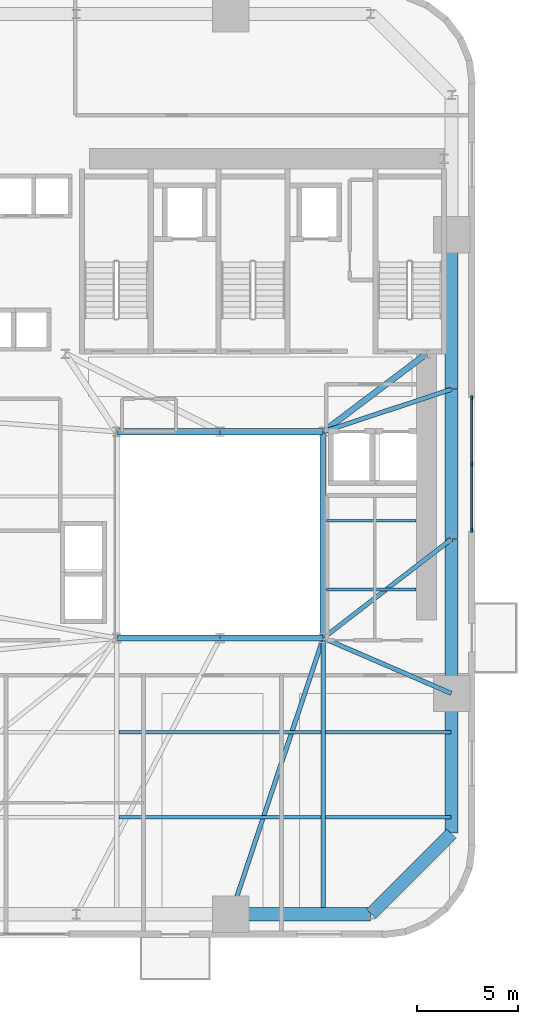
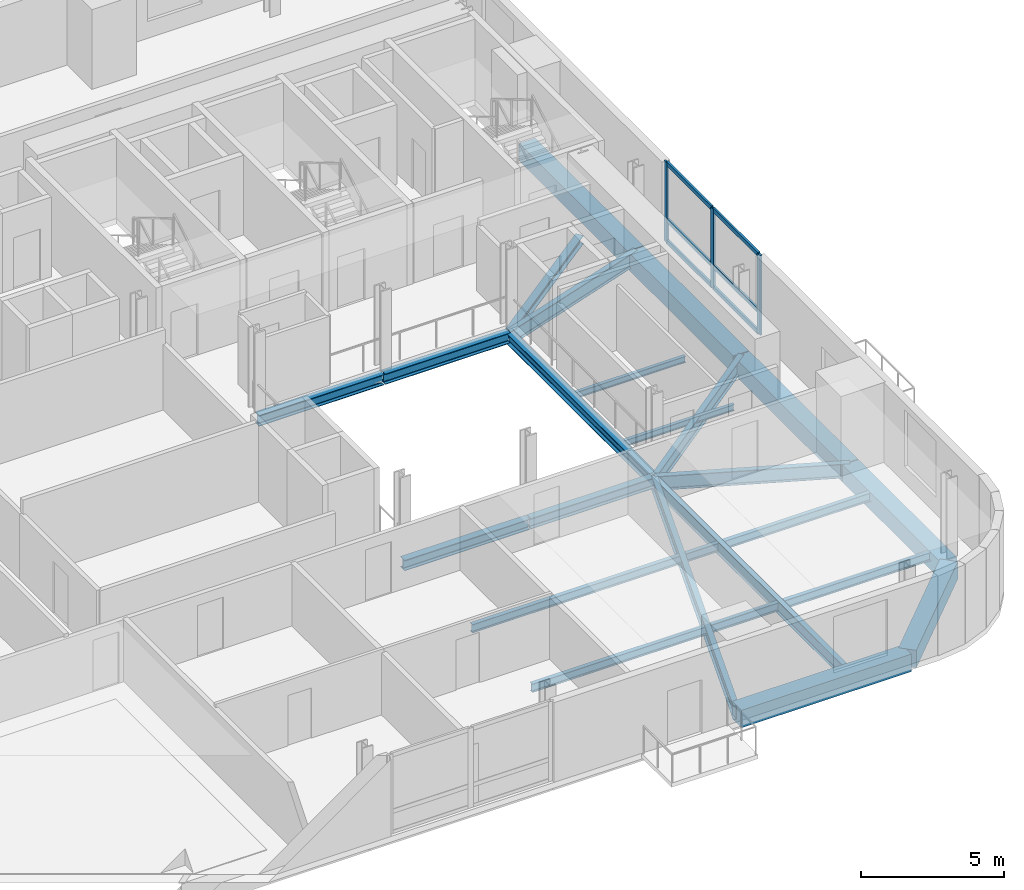
# One storey, part 3 of 13: 23 beams, 9 members, 1 element without a shape of its own.
"""IFC4 building model written with IfcOpenShell, lengths in metres."""

from ifc_helpers import new_model, si_unit, direction, frame, origin, origin_2d, place, context, subcontext, project, spatial, rectangle, i_section, extrude, source, transform, mapped, material, material_profile, profile_set, type_object, element, aggregate, save


model = new_model("IFC4")

# Units and contexts
model_context = context("Model", 3, precision=1e-05, world=origin(), true_north=direction((0.0, 1.0)))
body_context = subcontext(model_context, "Body", "Model", "MODEL_VIEW")
ifc_project = project(units=[si_unit("LENGTHUNIT", "METRE"), si_unit("AREAUNIT", "SQUARE_METRE"), si_unit("VOLUMEUNIT", "CUBIC_METRE"), si_unit("PLANEANGLEUNIT", "RADIAN"), si_unit("MASSUNIT", "GRAM", prefix="KILO")], contexts=[model_context])

# Site, building, storey
site_placement = place(None, origin())
site = spatial("IfcSite", under=ifc_project, at=site_placement, CompositionType="ELEMENT")
building_placement = place(site_placement, origin())
building = spatial("IfcBuilding", under=site, at=building_placement, Name="Vardaveli Station Tower", CompositionType="ELEMENT")
storey_placement = place(building_placement, frame((0.0, 0.0, 75.050048828125)))
storey = spatial("IfcBuildingStorey", under=building, at=storey_placement, Name="L19", CompositionType="ELEMENT", Elevation=75.050048828125)

# Beams
ifc_material_1 = material(Name="Structural steel S355J2", Category="steel")
ifc_material_profile_1 = material_profile(ifc_material_1, i_section(OverallWidth=0.300048828125, OverallDepth=0.449951171875, WebThickness=0.013916015625, FlangeThickness=0.02587890625, FilletRadius=0.027099609375, at=origin_2d()), Name="HEB 450")
ifc_profile_set_1 = profile_set([ifc_material_profile_1], Name="Structural steel S355J2")
beam_type_1 = type_object("IfcBeamType", Name="BM-HEB450", PredefinedType="BEAM", material=ifc_profile_set_1)
shared_shape_1 = source(origin(), body_context, "Body", "SweptSolid", [
    extrude(i_section(OverallWidth=0.300048828125, OverallDepth=0.449951171875, WebThickness=0.013916015625, FlangeThickness=0.02587890625, FilletRadius=0.027099609375, at=origin_2d()), origin(), (0.0, 0.0, 1.0), 5.06005859375),
])
for number, where, z_axis, x_axis, name in (
    (1, (31.219970703125, 16.60009765625, -0.465087890625), (1.0, 0.0, 0.0), (0.0, 1.0, 0.0), "ABM-L19-01"),
    (2, (36.280029296875, 26.800048828125, -0.465087890625), (-1.0, 0.0, 0.0), (0.0, -1.0, 0.0), "ABM-L19-05"),
):
    element("IfcBeam", number, at=place(storey_placement, frame(where, z_axis=z_axis, x_axis=x_axis)), inside=storey, type_object=beam_type_1, Name=name, PredefinedType="BEAM", context=body_context, shape_type="MappedRepresentation", body=[
        mapped(shared_shape_1, transform((0.0, 0.0, 0.0), scale=1.0)),
    ])
shared_shape_2 = source(origin(), body_context, "Body", "SweptSolid", [
    extrude(i_section(OverallWidth=0.300048828125, OverallDepth=0.449951171875, WebThickness=0.013916015625, FlangeThickness=0.02587890625, FilletRadius=0.027099609375, at=origin_2d()), origin(), (0.0, 0.0, 1.0), 5.059814453125),
])
for number, where, z_axis, x_axis, name in (
    (3, (36.320068359375, 16.60009765625, -0.465087890625), (1.0, 0.0, 0.0), (0.0, 1.0, 0.0), "ABM-L19-02"),
    (4, (41.3798828125, 26.800048828125, -0.465087890625), (-1.0, 0.0, 0.0), (0.0, -1.0, 0.0), "ABM-L19-04"),
):
    element("IfcBeam", number, at=place(storey_placement, frame(where, z_axis=z_axis, x_axis=x_axis)), inside=storey, type_object=beam_type_1, Name=name, PredefinedType="BEAM", context=body_context, shape_type="MappedRepresentation", body=[
        mapped(shared_shape_2, transform((0.0, 0.0, 0.0), scale=1.0)),
    ])
shared_shape_3 = source(origin(), body_context, "Body", "SweptSolid", [
    extrude(i_section(OverallWidth=0.300048828125, OverallDepth=0.449951171875, WebThickness=0.013916015625, FlangeThickness=0.02587890625, FilletRadius=0.027099609375, at=origin_2d()), origin(), (0.0, 0.0, 1.0), 10.159912109375),
])
beam_1_placement = place(storey_placement, frame((41.39990234375, 16.6201171875, -0.465087890625), z_axis=(0.0, 1.0, 0.0), x_axis=(-1.0, 0.0, 0.0)))
element("IfcBeam", 5, at=beam_1_placement, inside=storey, type_object=beam_type_1, Name="ABM-L19-03", PredefinedType="BEAM", context=body_context, shape_type="MappedRepresentation", body=[
    mapped(shared_shape_3, transform((0.0, 0.0, 0.0), scale=1.0)),
])
ifc_material_profile_2 = material_profile(ifc_material_1, i_section(OverallWidth=0.300048828125, OverallDepth=0.360107421875, WebThickness=0.012451171875, FlangeThickness=0.0224609375, FilletRadius=0.027099609375, at=origin_2d()), Name="HEB 360")
ifc_profile_set_2 = profile_set([ifc_material_profile_2], Name="Structural steel S355J2")
beam_type_2 = type_object("IfcBeamType", Name="BM-HEB360", PredefinedType="BEAM", material=ifc_profile_set_2)
shared_shape_4 = source(origin(), body_context, "Body", "SweptSolid", [
    extrude(i_section(OverallWidth=0.300048828125, OverallDepth=0.360107421875, WebThickness=0.012451171875, FlangeThickness=0.0224609375, FilletRadius=0.027099609375, at=origin_2d()), origin(), (0.0, 0.0, 1.0), 6.35009765625),
])
beam_2_placement = place(storey_placement, frame((41.416015625, 26.81201171875, -0.420166015625), z_axis=(0.798118337722, 0.602500721154, 0.0), x_axis=(-0.602500721154, 0.798118337722, 0.0)))
element("IfcBeam", 6, at=beam_2_placement, inside=storey, type_object=beam_type_2, Name="CBM-L19-02", PredefinedType="BEAM", context=body_context, shape_type="MappedRepresentation", body=[
    mapped(shared_shape_4, transform((0.0, 0.0, 0.0), scale=1.0)),
])
ifc_material_2 = material(Name="Precast concrete C45/55", Category="concrete")
ifc_material_profile_3 = material_profile(ifc_material_2, rectangle(XDim=0.64990234375, YDim=0.75, at=origin_2d()), Name="LPB 650x750")
ifc_profile_set_3 = profile_set([ifc_material_profile_3], Name="Precast concrete C45/55")
beam_type_3 = type_object("IfcBeamType", Name="BM-LPB-750", PredefinedType="BEAM", material=ifc_profile_set_3)
shared_shape_5 = source(origin(), body_context, "Body", "SweptSolid", [
    extrude(rectangle(XDim=0.64990234375, YDim=0.75, at=origin_2d()), origin(), (0.0, 0.0, 1.0), 7.60009765625),
])
for number, where, z_axis, x_axis, name in (
    (7, (47.75, 13.8798828125, -0.614990234375), (0.0, 1.0, 0.0), (-1.0, 0.0, 0.0), "RBM-L19-07"),
    (8, (47.75, 28.919921875, -0.614990234375), (0.0, 1.0, 0.0), (-1.0, 0.0, 0.0), "RBM-L19-09"),
):
    element("IfcBeam", number, at=place(storey_placement, frame(where, z_axis=z_axis, x_axis=x_axis)), inside=storey, type_object=beam_type_3, Name=name, PredefinedType="BEAM", context=body_context, shape_type="MappedRepresentation", body=[
        mapped(shared_shape_5, transform((0.0, 0.0, 0.0), scale=1.0)),
    ])
shared_shape_6 = source(origin(), body_context, "Body", "SweptSolid", [
    extrude(rectangle(XDim=0.64990234375, YDim=0.75, at=origin_2d()), origin(), (0.0, 0.0, 1.0), 7.35986328125),
])
beam_3_placement = place(storey_placement, frame((47.75, 21.52001953125, -0.614990234375), z_axis=(0.0, 1.0, 0.0), x_axis=(-1.0, 0.0, 0.0)))
element("IfcBeam", 9, at=beam_3_placement, inside=storey, type_object=beam_type_3, Name="RBM-L19-08", PredefinedType="BEAM", context=body_context, shape_type="MappedRepresentation", body=[
    mapped(shared_shape_6, transform((0.0, 0.0, 0.0), scale=1.0)),
])
shared_shape_7 = source(origin(), body_context, "Body", "SweptSolid", [
    extrude(rectangle(XDim=0.64990234375, YDim=0.75, at=origin_2d()), origin(), (0.0, 0.0, 1.0), 6.869873046875),
])
beam_4_placement = place(storey_placement, frame((36.860107421875, 2.949951171875, -0.614990234375), z_axis=(1.0, 0.0, 0.0), x_axis=(0.0, 1.0, 0.0)))
element("IfcBeam", 10, at=beam_4_placement, inside=storey, type_object=beam_type_3, Name="RBM-L19-04", PredefinedType="BEAM", context=body_context, shape_type="MappedRepresentation", body=[
    mapped(shared_shape_7, transform((0.0, 0.0, 0.0), scale=1.0)),
])
shared_shape_8 = source(origin(), body_context, "Body", "SweptSolid", [
    extrude(rectangle(XDim=0.64990234375, YDim=0.75, at=origin_2d()), origin(), (0.0, 0.0, 1.0), 5.61669921875),
])
beam_5_placement = place(storey_placement, frame((43.76416015625, 2.964111328125, -0.614990234375), z_axis=(0.707106781187, 0.707106781187, 0.0), x_axis=(-0.707106781187, 0.707106781187, 0.0)))
element("IfcBeam", 11, at=beam_5_placement, inside=storey, type_object=beam_type_3, Name="RBM-L19-05", PredefinedType="BEAM", context=body_context, shape_type="MappedRepresentation", body=[
    mapped(shared_shape_8, transform((0.0, 0.0, 0.0), scale=1.0)),
])
shared_shape_9 = source(origin(), body_context, "Body", "SweptSolid", [
    extrude(rectangle(XDim=0.64990234375, YDim=0.75, at=origin_2d()), origin(), (0.0, 0.0, 1.0), 6.8701171875),
])
beam_6_placement = place(storey_placement, frame((47.75, 6.969970703125, -0.614990234375), z_axis=(0.0, 1.0, 0.0), x_axis=(-1.0, 0.0, 0.0)))
element("IfcBeam", 12, at=beam_6_placement, inside=storey, type_object=beam_type_3, Name="RBM-L19-06", PredefinedType="BEAM", context=body_context, shape_type="MappedRepresentation", body=[
    mapped(shared_shape_9, transform((0.0, 0.0, 0.0), scale=1.0)),
])
ifc_material_profile_4 = material_profile(ifc_material_1, i_section(OverallWidth=0.219970703125, OverallDepth=0.60009765625, WebThickness=0.011962890625, FlangeThickness=0.01904296875, FilletRadius=0.02392578125, at=origin_2d()), Name="IPE 600")
ifc_profile_set_4 = profile_set([ifc_material_profile_4], Name="Structural steel S355J2")
beam_type_4 = type_object("IfcBeamType", Name="BM-IPE600", PredefinedType="BEAM", material=ifc_profile_set_4)
shared_shape_10 = source(origin(), body_context, "Body", "SweptSolid", [
    extrude(i_section(OverallWidth=0.219970703125, OverallDepth=0.60009765625, WebThickness=0.011962890625, FlangeThickness=0.01904296875, FilletRadius=0.02392578125, at=origin_2d()), origin(), (0.0, 0.0, 1.0), 14.3515625),
])
beam_7_placement = place(storey_placement, frame((36.846435546875, 2.968994140625, -0.5400390625), z_axis=(0.316840115921, 0.948478961782, 0.0), x_axis=(-0.948478961782, 0.316840115921, 0.0)))
element("IfcBeam", 13, at=beam_7_placement, inside=storey, type_object=beam_type_4, Name="GBM-L19-04", PredefinedType="BEAM", context=body_context, shape_type="MappedRepresentation", body=[
    mapped(shared_shape_10, transform((0.0, 0.0, 0.0), scale=1.0)),
])
shared_shape_11 = source(origin(), body_context, "Body", "SweptSolid", [
    extrude(i_section(OverallWidth=0.219970703125, OverallDepth=0.60009765625, WebThickness=0.011962890625, FlangeThickness=0.01904296875, FilletRadius=0.02392578125, at=origin_2d()), origin(), (0.0, 0.0, 1.0), 6.8759765625),
])
beam_8_placement = place(storey_placement, frame((47.731689453125, 13.867919921875, -0.5400390625), z_axis=(-0.918170694621, 0.396185026899, 0.0), x_axis=(-0.396185026899, -0.918170694621, 0.0)))
element("IfcBeam", 14, at=beam_8_placement, inside=storey, type_object=beam_type_4, Name="GBM-L19-05", PredefinedType="BEAM", context=body_context, shape_type="MappedRepresentation", body=[
    mapped(shared_shape_11, transform((0.0, 0.0, 0.0), scale=1.0)),
])
shared_shape_12 = source(origin(), body_context, "Body", "SweptSolid", [
    extrude(i_section(OverallWidth=0.219970703125, OverallDepth=0.60009765625, WebThickness=0.011962890625, FlangeThickness=0.01904296875, FilletRadius=0.02392578125, at=origin_2d()), origin(), (0.0, 0.0, 1.0), 7.980712890625),
])
beam_9_placement = place(storey_placement, frame((47.734130859375, 21.48779296875, -0.5400390625), z_axis=(-0.791701934907, -0.610907559509, 0.0), x_axis=(0.610907559509, -0.791701934907, 0.0)))
element("IfcBeam", 15, at=beam_9_placement, inside=storey, type_object=beam_type_4, Name="GBM-L19-06", PredefinedType="BEAM", context=body_context, shape_type="MappedRepresentation", body=[
    mapped(shared_shape_12, transform((0.0, 0.0, 0.0), scale=1.0)),
])
shared_shape_13 = source(origin(), body_context, "Body", "SweptSolid", [
    extrude(i_section(OverallWidth=0.219970703125, OverallDepth=0.60009765625, WebThickness=0.011962890625, FlangeThickness=0.01904296875, FilletRadius=0.02392578125, at=origin_2d()), origin(), (0.0, 0.0, 1.0), 6.648193359375),
])
beam_10_placement = place(storey_placement, frame((47.73095703125, 28.893798828125, -0.5400390625), z_axis=(-0.949429779906, -0.313979446824, 0.0), x_axis=(0.313979446824, -0.949429779906, 0.0)))
element("IfcBeam", 16, at=beam_10_placement, inside=storey, type_object=beam_type_4, Name="GBM-L19-07", PredefinedType="BEAM", context=body_context, shape_type="MappedRepresentation", body=[
    mapped(shared_shape_13, transform((0.0, 0.0, 0.0), scale=1.0)),
])
ifc_material_profile_5 = material_profile(ifc_material_1, i_section(OverallWidth=0.2099609375, OverallDepth=0.550048828125, WebThickness=0.010986328125, FlangeThickness=0.01708984375, FilletRadius=0.02392578125, at=origin_2d()), Name="IPE 550")
ifc_profile_set_5 = profile_set([ifc_material_profile_5], Name="Structural steel S355J2")
beam_type_5 = type_object("IfcBeamType", Name="BM-IPE550", PredefinedType="BEAM", material=ifc_profile_set_5)
shared_shape_14 = source(origin(), body_context, "Body", "SweptSolid", [
    extrude(i_section(OverallWidth=0.2099609375, OverallDepth=0.550048828125, WebThickness=0.010986328125, FlangeThickness=0.01708984375, FilletRadius=0.02392578125, at=origin_2d()), origin(), (0.0, 0.0, 1.0), 13.469970703125),
])
beam_11_placement = place(storey_placement, frame((41.39990234375, 2.989990234375, -0.51513671875), z_axis=(0.0, 1.0, 0.0), x_axis=(-1.0, 0.0, 0.0)))
element("IfcBeam", 17, at=beam_11_placement, inside=storey, type_object=beam_type_5, Name="NSM-L19-S2", PredefinedType="BEAM", context=body_context, shape_type="MappedRepresentation", body=[
    mapped(shared_shape_14, transform((0.0, 0.0, 0.0), scale=1.0)),
])
ifc_material_profile_6 = material_profile(ifc_material_1, i_section(OverallWidth=0.169921875, OverallDepth=0.360107421875, WebThickness=0.008056640625, FlangeThickness=0.0126953125, FilletRadius=0.01806640625, at=origin_2d()), Name="IPE 360")
ifc_profile_set_6 = profile_set([ifc_material_profile_6], Name="Structural steel S355J2")
beam_type_6 = type_object("IfcBeamType", Name="BM-IPE360", PredefinedType="JOIST", material=ifc_profile_set_6)
shared_shape_15 = source(origin(), body_context, "Body", "SweptSolid", [
    extrude(i_section(OverallWidth=0.169921875, OverallDepth=0.360107421875, WebThickness=0.008056640625, FlangeThickness=0.0126953125, FilletRadius=0.01806640625, at=origin_2d()), origin(), (0.0, 0.0, 1.0), 9.97607421875),
])
for number, where, z_axis, x_axis, name in (
    (18, (31.31201171875, 7.75, -0.420166015625), (1.0, 0.0, 0.0), (0.0, 1.0, 0.0), "SJ-L19-S02"),
    (19, (31.31201171875, 11.949951171875, -0.420166015625), (1.0, 0.0, 0.0), (0.0, 1.0, 0.0), "SJ-L19-S05"),
):
    element("IfcBeam", number, at=place(storey_placement, frame(where, z_axis=z_axis, x_axis=x_axis)), inside=storey, type_object=beam_type_6, Name=name, PredefinedType="JOIST", context=body_context, shape_type="MappedRepresentation", body=[
        mapped(shared_shape_15, transform((0.0, 0.0, 0.0), scale=1.0)),
    ])
shared_shape_16 = source(origin(), body_context, "Body", "SweptSolid", [
    extrude(i_section(OverallWidth=0.169921875, OverallDepth=0.360107421875, WebThickness=0.008056640625, FlangeThickness=0.0126953125, FilletRadius=0.01806640625, at=origin_2d()), origin(), (0.0, 0.0, 1.0), 6.197998046875),
])
for number, where, z_axis, x_axis, name in (
    (20, (41.511962890625, 7.75, -0.420166015625), (1.0, 0.0, 0.0), (0.0, 1.0, 0.0), "SJ-L19-S03"),
    (21, (41.511962890625, 11.949951171875, -0.420166015625), (1.0, 0.0, 0.0), (0.0, 1.0, 0.0), "SJ-L19-S06"),
):
    element("IfcBeam", number, at=place(storey_placement, frame(where, z_axis=z_axis, x_axis=x_axis)), inside=storey, type_object=beam_type_6, Name=name, PredefinedType="JOIST", context=body_context, shape_type="MappedRepresentation", body=[
        mapped(shared_shape_16, transform((0.0, 0.0, 0.0), scale=1.0)),
    ])
ifc_material_profile_7 = material_profile(ifc_material_1, i_section(OverallWidth=0.135009765625, OverallDepth=0.27001953125, WebThickness=0.006591796875, FlangeThickness=0.01025390625, FilletRadius=0.014892578125, at=origin_2d()), Name="IPE 270")
ifc_profile_set_7 = profile_set([ifc_material_profile_7], Name="Structural steel S355J2")
beam_type_7 = type_object("IfcBeamType", Name="BM-IPE270", PredefinedType="BEAM", material=ifc_profile_set_7)
shared_shape_17 = source(origin(), body_context, "Body", "SweptSolid", [
    extrude(i_section(OverallWidth=0.135009765625, OverallDepth=0.27001953125, WebThickness=0.006591796875, FlangeThickness=0.01025390625, FilletRadius=0.014892578125, at=origin_2d()), origin(), (0.0, 0.0, 1.0), 4.43017578125),
])
for number, where, z_axis, x_axis, name in (
    (22, (41.56494140625, 19.0, -0.375), (1.0, 0.0, 0.0), (0.0, 1.0, 0.0), "TJ-L19-01"),
    (23, (41.56494140625, 22.39990234375, -0.375), (1.0, 0.0, 0.0), (0.0, 1.0, 0.0), "TJ-L19-02"),
):
    element("IfcBeam", number, at=place(storey_placement, frame(where, z_axis=z_axis, x_axis=x_axis)), inside=storey, type_object=beam_type_7, Name=name, PredefinedType="BEAM", context=body_context, shape_type="MappedRepresentation", body=[
        mapped(shared_shape_17, transform((0.0, 0.0, 0.0), scale=1.0)),
    ])

# Curtain wall, members
ifc_material_3 = material(Name="Travertine stone and solar-control glass", Category="masonry")
curtain_wall_type = type_object("IfcCurtainWallType", Name="CW-SYS-2", PredefinedType="NOTDEFINED", material=ifc_material_3)
curtain_wall_placement = place(storey_placement, origin())
curtain_wall = element("IfcCurtainWall", 24, at=curtain_wall_placement, inside=storey, type_object=curtain_wall_type, Name="CW-L19-E", PredefinedType="NOTDEFINED")
ifc_material_4 = material(Name="Anodised aluminium alloy 6063-T6", Category="aluminium")
ifc_material_profile_8 = material_profile(ifc_material_4, rectangle(XDim=0.0849609375, YDim=0.219970703125, at=origin_2d()), Name="CWM 85x220")
ifc_profile_set_8 = profile_set([ifc_material_profile_8], Name="Anodised aluminium alloy 6063-T6")
member_type_1 = type_object("IfcMemberType", Name="CW-SYS-2-MULL", PredefinedType="MULLION", material=ifc_profile_set_8)
shared_shape_18 = source(origin(), body_context, "Body", "SweptSolid", [
    extrude(rectangle(XDim=0.0849609375, YDim=0.219970703125, at=origin_2d()), origin(), (0.0, 0.0, 1.0), 3.409912109375),
])
member_1_placement = place(storey_placement, frame((48.739990234375, 21.9423828125, 0.0), z_axis=(0.0, 0.0, 1.0), x_axis=(-1.0, 0.0, 0.0)))
member_1 = element("IfcMember", 25, at=member_1_placement, type_object=member_type_1, Name="CW-2 mullion 1", PredefinedType="MULLION", context=body_context, shape_type="MappedRepresentation", body=[
    mapped(shared_shape_18, transform((0.0, 0.0, 0.0), scale=1.0)),
])
member_2_placement = place(storey_placement, frame((48.739990234375, 25.199951171875, 0.0), z_axis=(0.0, 0.0, 1.0), x_axis=(-1.0, 0.0, 0.0)))
member_2 = element("IfcMember", 26, at=member_2_placement, type_object=member_type_1, Name="CW-2 mullion 2", PredefinedType="MULLION", context=body_context, shape_type="MappedRepresentation", body=[
    mapped(shared_shape_18, transform((0.0, 0.0, 0.0), scale=1.0)),
])
member_3_placement = place(storey_placement, frame((48.739990234375, 28.45751953125, 0.0), z_axis=(0.0, 0.0, 1.0), x_axis=(-1.0, 0.0, 0.0)))
member_3 = element("IfcMember", 27, at=member_3_placement, type_object=member_type_1, Name="CW-2 mullion 3", PredefinedType="MULLION", context=body_context, shape_type="MappedRepresentation", body=[
    mapped(shared_shape_18, transform((0.0, 0.0, 0.0), scale=1.0)),
])
ifc_material_profile_9 = material_profile(ifc_material_4, rectangle(XDim=0.0849609375, YDim=0.179931640625, at=origin_2d()), Name="CWT 85x180")
ifc_profile_set_9 = profile_set([ifc_material_profile_9], Name="Anodised aluminium alloy 6063-T6")
member_type_2 = type_object("IfcMemberType", Name="CW-SYS-2-TRAN", PredefinedType="NOTDEFINED", material=ifc_profile_set_9)
shared_shape_19 = source(origin(), body_context, "Body", "SweptSolid", [
    extrude(rectangle(XDim=0.0849609375, YDim=0.179931640625, at=origin_2d()), origin(), (0.0, 0.0, 1.0), 3.172607421875),
])
member_4_placement = place(storey_placement, frame((48.739990234375, 25.242431640625, 0.04248046875), z_axis=(0.0, 1.0, 0.0), x_axis=(-1.0, 0.0, 0.0)))
member_4 = element("IfcMember", 28, at=member_4_placement, type_object=member_type_2, Name="CW-2 transom 2.1", ObjectType="TRANSOM", PredefinedType="USERDEFINED", context=body_context, shape_type="MappedRepresentation", body=[
    mapped(shared_shape_19, transform((0.0, 0.0, 0.0), scale=1.0)),
])
member_5_placement = place(storey_placement, frame((48.739990234375, 25.242431640625, 0.949951171875), z_axis=(0.0, 1.0, 0.0), x_axis=(-1.0, 0.0, 0.0)))
member_5 = element("IfcMember", 29, at=member_5_placement, type_object=member_type_2, Name="CW-2 transom 2.2", ObjectType="TRANSOM", PredefinedType="USERDEFINED", context=body_context, shape_type="MappedRepresentation", body=[
    mapped(shared_shape_19, transform((0.0, 0.0, 0.0), scale=1.0)),
])
member_6_placement = place(storey_placement, frame((48.739990234375, 25.242431640625, 3.367431640625), z_axis=(0.0, 1.0, 0.0), x_axis=(-1.0, 0.0, 0.0)))
member_6 = element("IfcMember", 30, at=member_6_placement, type_object=member_type_2, Name="CW-2 transom 2.3", ObjectType="TRANSOM", PredefinedType="USERDEFINED", context=body_context, shape_type="MappedRepresentation", body=[
    mapped(shared_shape_19, transform((0.0, 0.0, 0.0), scale=1.0)),
])
shared_shape_20 = source(origin(), body_context, "Body", "SweptSolid", [
    extrude(rectangle(XDim=0.0849609375, YDim=0.179931640625, at=origin_2d()), origin(), (0.0, 0.0, 1.0), 3.17236328125),
])
member_7_placement = place(storey_placement, frame((48.739990234375, 21.985107421875, 0.04248046875), z_axis=(0.0, 1.0, 0.0), x_axis=(-1.0, 0.0, 0.0)))
member_7 = element("IfcMember", 31, at=member_7_placement, type_object=member_type_2, Name="CW-2 transom 1.1", ObjectType="TRANSOM", PredefinedType="USERDEFINED", context=body_context, shape_type="MappedRepresentation", body=[
    mapped(shared_shape_20, transform((0.0, 0.0, 0.0), scale=1.0)),
])
member_8_placement = place(storey_placement, frame((48.739990234375, 21.985107421875, 0.949951171875), z_axis=(0.0, 1.0, 0.0), x_axis=(-1.0, 0.0, 0.0)))
member_8 = element("IfcMember", 32, at=member_8_placement, type_object=member_type_2, Name="CW-2 transom 1.2", ObjectType="TRANSOM", PredefinedType="USERDEFINED", context=body_context, shape_type="MappedRepresentation", body=[
    mapped(shared_shape_20, transform((0.0, 0.0, 0.0), scale=1.0)),
])
member_9_placement = place(storey_placement, frame((48.739990234375, 21.985107421875, 3.367431640625), z_axis=(0.0, 1.0, 0.0), x_axis=(-1.0, 0.0, 0.0)))
member_9 = element("IfcMember", 33, at=member_9_placement, type_object=member_type_2, Name="CW-2 transom 1.3", ObjectType="TRANSOM", PredefinedType="USERDEFINED", context=body_context, shape_type="MappedRepresentation", body=[
    mapped(shared_shape_20, transform((0.0, 0.0, 0.0), scale=1.0)),
])
aggregate(curtain_wall, [member_1, member_2, member_3, member_7, member_8, member_9, member_4, member_5, member_6])

save(model, "model.ifc")
